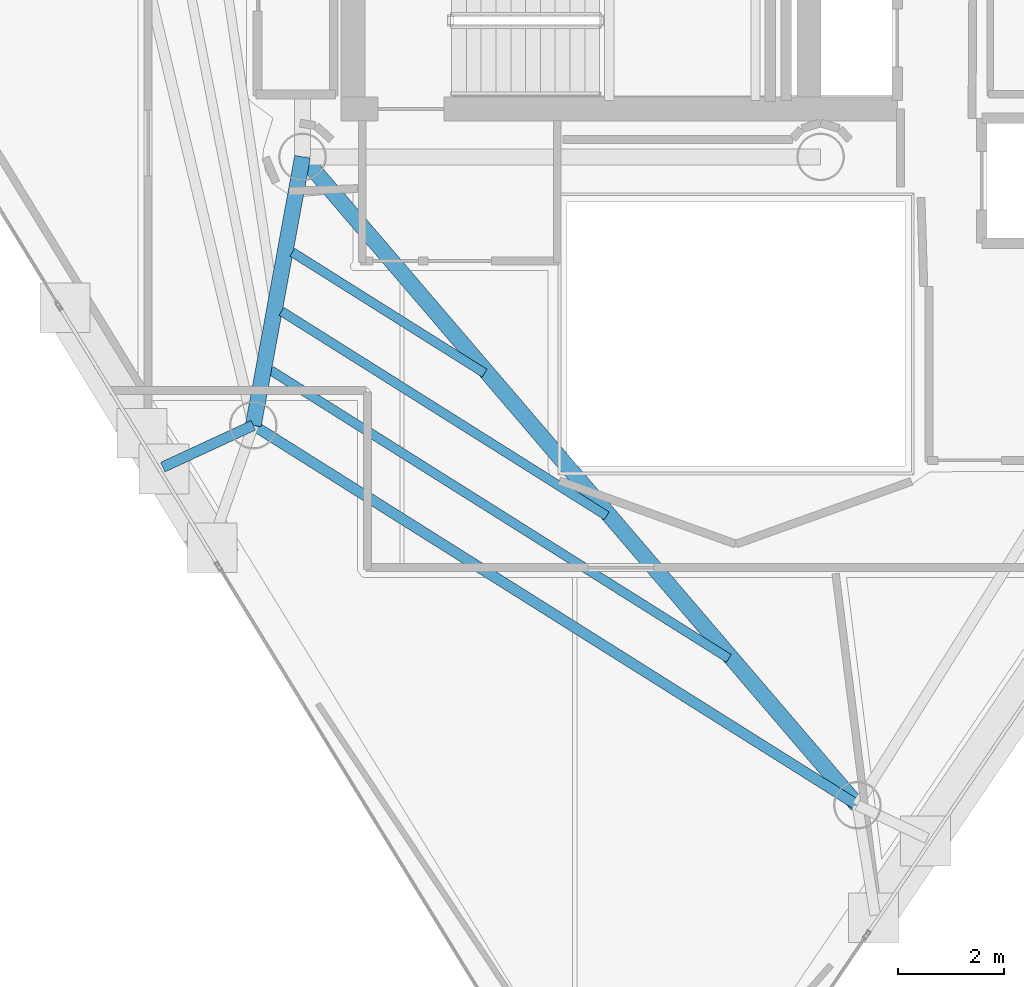
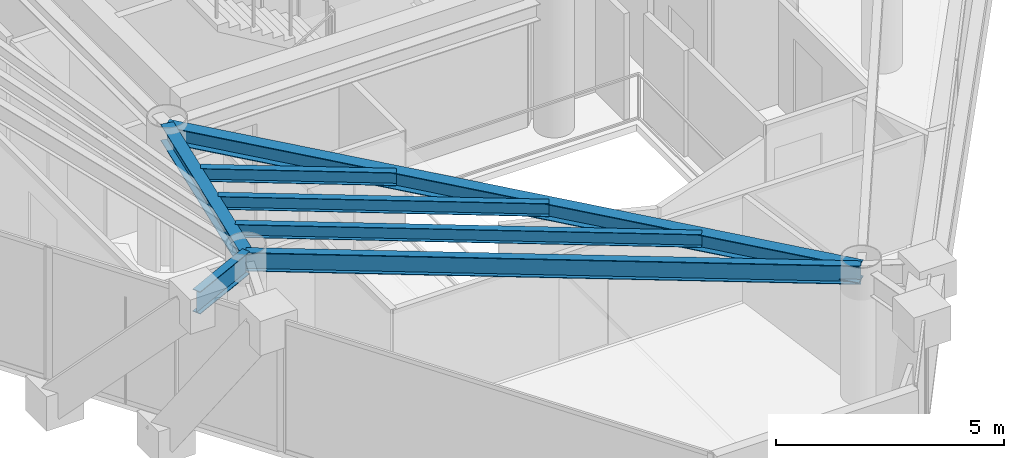
# One storey, part 4 of 23: 7 beams.
"""IFC4 building model written with IfcOpenShell, lengths in metres."""

import ifcopenshell
import ifcopenshell.guid

model = None  # the IFC model being written
_history = None  # IfcOwnerHistory: only IFC2X3 demands one
_inside = {}  # id of a spatial element -> (the spatial element, [elements in it])
_under = {}  # id of a project, library or spatial element -> (it, [spatial elements below it])
_declared = {}  # id of a project -> (the project, [libraries it declares])
_typed = {}  # id of a type object -> (the type object, [elements of that type])
_made_of = {}  # id of a material, layer set ... -> (it, [elements and type objects made of it])


def new_model(schema):
    """Start an empty IFC model of exactly this schema.

    Asked for "IFC4X3", IfcOpenShell would pick the latest addendum, in which some entities
    have other attributes; the version numbers below select the first issue.
    IFC2X3 requires an IfcOwnerHistory on every rooted entity: one is made here for all.
    """
    global model, _history
    if schema == "IFC4X3":
        model = ifcopenshell.file(schema_version=(4, 3, 0, 0))
    else:
        model = ifcopenshell.file(schema=schema)
    _inside.clear()
    _under.clear()
    _declared.clear()
    _typed.clear()
    _made_of.clear()
    _history = None
    if model.schema == "IFC2X3":
        org = make("IfcOrganization", Name="unknown")
        user = make(
            "IfcPersonAndOrganization",
            ThePerson=make("IfcPerson", FamilyName="unknown"),
            TheOrganization=org,
        )
        app = make(
            "IfcApplication",
            ApplicationDeveloper=org,
            Version="unknown",
            ApplicationFullName="unknown",
            ApplicationIdentifier="unknown",
        )
        _history = make(
            "IfcOwnerHistory",
            OwningUser=user,
            OwningApplication=app,
            ChangeAction="ADDED",
            CreationDate=0,
        )
    return model


def make(cls, **values):
    """One entity of the class cls with the attributes given. An attribute that is None is left unset."""
    return model.create_entity(
        cls, **{name: value for name, value in values.items() if value is not None}
    )


def rooted(cls, **values):
    """An entity with a GlobalId (a new one), such as an element, a storey or a relation."""
    return make(cls, GlobalId=ifcopenshell.guid.new(), OwnerHistory=_history, **values)


def si_unit(unit_type, name, prefix=None):
    """IfcSIUnit, for example si_unit("LENGTHUNIT", "METRE", prefix="MILLI")."""
    return make("IfcSIUnit", UnitType=unit_type, Prefix=prefix, Name=name)


def assignment(units):
    """IfcUnitAssignment: the units of a project."""
    return None if units is None else make("IfcUnitAssignment", Units=units)


def point(xyz):
    """IfcCartesianPoint."""
    return None if xyz is None else make("IfcCartesianPoint", Coordinates=xyz)


def direction(xyz):
    """IfcDirection."""
    return None if xyz is None else make("IfcDirection", DirectionRatios=xyz)


def frame(location, z_axis=None, x_axis=None):
    """IfcAxis2Placement3D, a coordinate frame: its origin and axes. An axis left out is left unset."""
    return make(
        "IfcAxis2Placement3D",
        Location=point(location),
        Axis=direction(z_axis),
        RefDirection=direction(x_axis),
    )


def frame_2d(location, x_axis=None):
    """IfcAxis2Placement2D, a coordinate frame in the plane: its origin and x axis."""
    return make(
        "IfcAxis2Placement2D", Location=point(location), RefDirection=direction(x_axis)
    )


def origin():
    """The frame at (0, 0, 0) with its axes left unset."""
    return frame((0.0, 0.0, 0.0))


def origin_2d():
    """The frame at (0, 0) in the plane with its x axis left unset."""
    return frame_2d((0.0, 0.0))


def place(relative_to, where):
    """IfcLocalPlacement: puts the frame where relative to a parent placement (None: the world)."""
    return make(
        "IfcLocalPlacement", PlacementRelTo=relative_to, RelativePlacement=where
    )


def context(
    kind, dimensions, precision=None, world=None, true_north=None, identifier=None
):
    """IfcGeometricRepresentationContext, for example the 3D "Model" context."""
    return make(
        "IfcGeometricRepresentationContext",
        ContextIdentifier=identifier,
        ContextType=kind,
        CoordinateSpaceDimension=dimensions,
        Precision=precision,
        WorldCoordinateSystem=world,
        TrueNorth=true_north,
    )


def subcontext(parent, identifier, kind, view, scale=None):
    """IfcGeometricRepresentationSubContext, for example "Body" below "Model"."""
    return make(
        "IfcGeometricRepresentationSubContext",
        ContextIdentifier=identifier,
        ContextType=kind,
        ParentContext=parent,
        TargetScale=scale,
        TargetView=view,
    )


def project(units=None, contexts=None):
    """IfcProject with its units and contexts."""
    return rooted(
        "IfcProject",
        Name="project",
        RepresentationContexts=contexts,
        UnitsInContext=assignment(units),
    )


def spatial(cls, under=None, at=None, **own):
    """A site, building, storey or space (cls), placed at a placement, below another one or the project."""
    s = rooted(cls, ObjectPlacement=at, **own)
    if under is not None:
        _under.setdefault(under.id(), (under, []))[1].append(s)
    return s


def profile(cls, at=None, kind="AREA", **sizes):
    """A parametric profile (cls). Its sizes go by their IFC names, for example OverallWidth=200.0."""
    return make(cls, ProfileType=kind, Position=at, **sizes)


def i_section(**sizes):
    """IfcIShapeProfileDef."""
    return profile("IfcIShapeProfileDef", **sizes)


def extrude(swept, where, along, depth):
    """IfcExtrudedAreaSolid: the profile swept, set in the frame where, extruded along a direction by depth."""
    return make(
        "IfcExtrudedAreaSolid",
        SweptArea=swept,
        Position=where,
        ExtrudedDirection=direction(along),
        Depth=depth,
    )


def shape(context_of_items, identifier, shape_type, items):
    """IfcShapeRepresentation: the items that make up one representation, for example the "Body"."""
    return make(
        "IfcShapeRepresentation",
        ContextOfItems=context_of_items,
        RepresentationIdentifier=identifier,
        RepresentationType=shape_type,
        Items=items,
    )


def material(Name=None, Category=None):
    """IfcMaterial."""
    return make("IfcMaterial", Name=Name, Category=Category)


def material_profile(
    of_material, cross_section, Name=None, Category=None, Priority=None
):
    """IfcMaterialProfile: a cross section and its material."""
    return make(
        "IfcMaterialProfile",
        Name=Name,
        Material=of_material,
        Profile=cross_section,
        Priority=Priority,
        Category=Category,
    )


def profile_set(profiles, Name=None, composite=None):
    """IfcMaterialProfileSet."""
    return make(
        "IfcMaterialProfileSet",
        Name=Name,
        MaterialProfiles=profiles,
        CompositeProfile=composite,
    )


def made_of(thing, what):
    """Note that an element or type object is made of a material, layer set ...; save() writes the relation."""
    if what is not None:
        _made_of.setdefault(what.id(), (what, []))[1].append(thing)
    return thing


def type_object(cls, material=None, **own):
    """A type object (cls), such as IfcWallType, which elements share."""
    return made_of(rooted(cls, **own), material)


def element(
    cls,
    number,
    at=None,
    inside=None,
    cuts=None,
    type_object=None,
    material=None,
    context=None,
    identifier="Body",
    shape_type=None,
    held_by="IfcProductDefinitionShape",
    body=None,
    shapes=None,
    **own,
):
    """One element of the class cls, such as IfcWall. Its Tag is "e" and its number.

    at: its placement. inside: the storey or other place that contains it. cuts: it is an
    opening in that element (IfcRelVoidsElement). A single representation is given by context,
    identifier, shape_type and body (its items); several are given by shapes. held_by: the class
    of the entity that holds the representations. save() writes the other relations.
    """
    e = rooted(cls, Tag="e%d" % number, ObjectPlacement=at, **own)
    if body is not None:
        shapes = [shape(context, identifier, shape_type, body)]
    if shapes is not None:
        e.Representation = make(held_by, Representations=shapes)
    if inside is not None:
        _inside.setdefault(inside.id(), (inside, []))[1].append(e)
    if cuts is not None:
        rooted(
            "IfcRelVoidsElement", RelatingBuildingElement=cuts, RelatedOpeningElement=e
        )
    if type_object is not None:
        _typed.setdefault(type_object.id(), (type_object, []))[1].append(e)
    return made_of(e, material)


def aggregate(whole, parts):
    """IfcRelAggregates: a whole, such as a stair, and the parts it consists of."""
    return rooted("IfcRelAggregates", RelatingObject=whole, RelatedObjects=parts)


def save(model, path):
    """Write the relations noted so far, then the file.

    IfcRelAggregates (storeys below a building ...), IfcRelContainedInSpatialStructure (elements
    in a storey), IfcRelDefinesByType, IfcRelAssociatesMaterial and IfcRelDeclares: one each for
    every whole, place, type object, material and project.
    """
    for whole, parts in _under.values():
        aggregate(whole, parts)
    for where, things in _inside.values():
        rooted(
            "IfcRelContainedInSpatialStructure",
            RelatedElements=things,
            RelatingStructure=where,
        )
    for kind, things in _typed.values():
        rooted("IfcRelDefinesByType", RelatedObjects=things, RelatingType=kind)
    for what, things in _made_of.values():
        rooted("IfcRelAssociatesMaterial", RelatedObjects=things, RelatingMaterial=what)
    for by, libraries in _declared.values():
        rooted("IfcRelDeclares", RelatingContext=by, RelatedDefinitions=libraries)
    model.write(path)


model = new_model("IFC4")

# Units and contexts
model_context = context("Model", 3, precision=1e-05, world=origin(), true_north=direction((0.0, 1.0)))
body_context = subcontext(model_context, "Body", "Model", "MODEL_VIEW")
ifc_project = project(units=[si_unit("LENGTHUNIT", "METRE"), si_unit("AREAUNIT", "SQUARE_METRE"), si_unit("VOLUMEUNIT", "CUBIC_METRE"), si_unit("PLANEANGLEUNIT", "RADIAN"), si_unit("MASSUNIT", "GRAM", prefix="KILO")], contexts=[model_context])

# Site, building, storey
site_placement = place(None, origin())
site = spatial("IfcSite", under=ifc_project, at=site_placement, CompositionType="ELEMENT")
building_placement = place(site_placement, origin())
building = spatial("IfcBuilding", under=site, at=building_placement, Name="Qianvela Tower", CompositionType="ELEMENT")
storey_placement = place(building_placement, frame((0.0, 0.0, 284.300048828125)))
storey = spatial("IfcBuildingStorey", under=building, at=storey_placement, Name="L73", CompositionType="ELEMENT", Elevation=284.300048828125)

# Beams
ifc_material_1 = material(Name="Steel Q355B", Category="steel")
ifc_material_profile_1 = material_profile(ifc_material_1, i_section(OverallWidth=0.300048828125, OverallDepth=0.43994140625, WebThickness=0.010986328125, FlangeThickness=0.01806640625, at=origin_2d()), Name="HM440x300x11x18")
ifc_profile_set_1 = profile_set([ifc_material_profile_1], Name="Steel Q355B")
beam_type_1 = type_object("IfcBeamType", Name="BM-HM440-COLL", PredefinedType="BEAM", material=ifc_profile_set_1)
beam_1_placement = place(storey_placement, frame((28.60009765625, 23.85009765625, 3.2978515625), z_axis=(-0.180242432023, -0.983622216961, 0.0), x_axis=(0.983622216961, -0.180242432023, 0.0)))
element("IfcBeam", 1, at=beam_1_placement, inside=storey, type_object=beam_type_1, Name="L73 Radial Primary Floor Girder 4", PredefinedType="BEAM", context=body_context, shape_type="SweptSolid", body=[
    extrude(i_section(OverallWidth=0.300048828125, OverallDepth=0.43994140625, WebThickness=0.010986328125, FlangeThickness=0.01806640625, at=origin_2d()), origin(), (0.0, 0.0, 1.0), 5.16064453125),
])
beam_2_placement = place(storey_placement, frame((28.60009765625, 23.85009765625, 3.2978515625), z_axis=(0.650269293807, -0.75970378802, 0.0), x_axis=(0.75970378802, 0.650269293807, 0.0)))
element("IfcBeam", 2, at=beam_2_placement, inside=storey, type_object=beam_type_1, Name="L73 Radial Primary Floor Girder 5", PredefinedType="BEAM", context=body_context, shape_type="SweptSolid", body=[
    extrude(i_section(OverallWidth=0.300048828125, OverallDepth=0.43994140625, WebThickness=0.010986328125, FlangeThickness=0.01806640625, at=origin_2d()), origin(), (0.0, 0.0, 1.0), 16.140869140625),
])
ifc_material_2 = material(Name="Steel Q355B", Category="steel")
ifc_material_profile_2 = material_profile(ifc_material_2, i_section(OverallWidth=0.175048828125, OverallDepth=0.35009765625, WebThickness=0.007080078125, FlangeThickness=0.010986328125, at=origin_2d()), Name="HN350x175x7x11")
ifc_profile_set_2 = profile_set([ifc_material_profile_2], Name="Steel Q355B")
beam_type_2 = type_object("IfcBeamType", Name="BM-HN350-JOIST", PredefinedType="JOIST", material=ifc_profile_set_2)
beam_3_placement = place(storey_placement, frame((28.407470703125, 22.04638671875, 3.343017578125), z_axis=(0.846501223135, -0.532386775973, 0.0), x_axis=(0.532386775973, 0.846501223135, 0.0)))
element("IfcBeam", 3, at=beam_3_placement, inside=storey, type_object=beam_type_2, Name="L73 Secondary Composite Floor Joist 4.1", PredefinedType="JOIST", context=body_context, shape_type="SweptSolid", body=[
    extrude(i_section(OverallWidth=0.175048828125, OverallDepth=0.35009765625, WebThickness=0.007080078125, FlangeThickness=0.010986328125, at=origin_2d()), origin(), (0.0, 0.0, 1.0), 4.29736328125),
])
beam_4_placement = place(storey_placement, frame((28.202880859375, 20.9296875, 3.343017578125), z_axis=(0.846507641225, -0.532376570998, 0.0), x_axis=(0.532376570998, 0.846507641225, 0.0)))
element("IfcBeam", 4, at=beam_4_placement, inside=storey, type_object=beam_type_2, Name="L73 Secondary Composite Floor Joist 4.2", PredefinedType="JOIST", context=body_context, shape_type="SweptSolid", body=[
    extrude(i_section(OverallWidth=0.175048828125, OverallDepth=0.35009765625, WebThickness=0.007080078125, FlangeThickness=0.010986328125, at=origin_2d()), origin(), (0.0, 0.0, 1.0), 7.266845703125),
])
beam_5_placement = place(storey_placement, frame((27.998291015625, 19.81298828125, 3.343017578125), z_axis=(0.846499587038, -0.532389377377, 0.0), x_axis=(0.532389377377, 0.846499587038, 0.0)))
element("IfcBeam", 5, at=beam_5_placement, inside=storey, type_object=beam_type_2, Name="L73 Secondary Composite Floor Joist 4.3", PredefinedType="JOIST", context=body_context, shape_type="SweptSolid", body=[
    extrude(i_section(OverallWidth=0.175048828125, OverallDepth=0.35009765625, WebThickness=0.007080078125, FlangeThickness=0.010986328125, at=origin_2d()), origin(), (0.0, 0.0, 1.0), 10.236328125),
])
ifc_material_3 = material(Name="Steel Q355B", Category="steel")
ifc_material_profile_3 = material_profile(ifc_material_3, i_section(OverallWidth=0.199951171875, OverallDepth=0.5, WebThickness=0.010009765625, FlangeThickness=0.01611328125, at=origin_2d()), Name="HN500x200x10x16")
ifc_profile_set_3 = profile_set([ifc_material_profile_3], Name="Steel Q355B")
beam_type_3 = type_object("IfcBeamType", Name="BM-HN500-GIRD", PredefinedType="BEAM", material=ifc_profile_set_3)
beam_6_placement = place(storey_placement, frame((27.669921875, 18.77392578125, 3.26806640625), z_axis=(0.846504270846, -0.532381930046, 0.0), x_axis=(0.532381930046, 0.846504270846, 0.0)))
element("IfcBeam", 6, at=beam_6_placement, inside=storey, type_object=beam_type_3, Name="L73 Perimeter Ring Spandrel Girder 4", PredefinedType="BEAM", context=body_context, shape_type="SweptSolid", body=[
    extrude(i_section(OverallWidth=0.199951171875, OverallDepth=0.5, WebThickness=0.010009765625, FlangeThickness=0.01611328125, at=origin_2d()), origin(), (0.0, 0.0, 1.0), 13.497802734375),
])
ifc_material_4 = material(Name="Steel Q355B", Category="steel")
ifc_material_profile_4 = material_profile(ifc_material_4, i_section(OverallWidth=0.199951171875, OverallDepth=0.60009765625, WebThickness=0.010986328125, FlangeThickness=0.01708984375, at=origin_2d()), Name="HN600x200x11x17")
ifc_profile_set_4 = profile_set([ifc_material_profile_4], Name="Steel Q355B")
beam_type_4 = type_object("IfcBeamType", Name="BM-HN600-GIRD", PredefinedType="BEAM", material=ifc_profile_set_4)
beam_7_placement = place(storey_placement, frame((27.669921875, 18.77392578125, 3.218017578125), z_axis=(-0.907576502035, -0.419886762062, 0.0), x_axis=(0.419886762062, -0.907576502035, 0.0)))
element("IfcBeam", 7, at=beam_7_placement, inside=storey, type_object=beam_type_4, Name="L73 Mega-Brace Column Tie Bracket F2-1", PredefinedType="BEAM", context=body_context, shape_type="SweptSolid", body=[
    extrude(i_section(OverallWidth=0.199951171875, OverallDepth=0.60009765625, WebThickness=0.010986328125, FlangeThickness=0.01708984375, at=origin_2d()), origin(), (0.0, 0.0, 1.0), 1.88671875),
])

save(model, "model.ifc")
